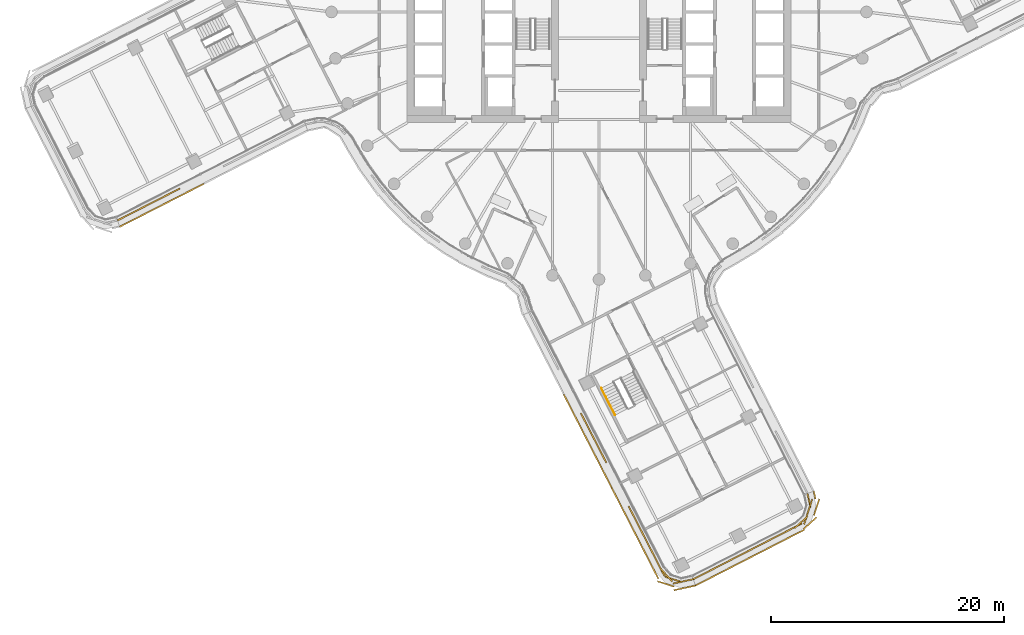
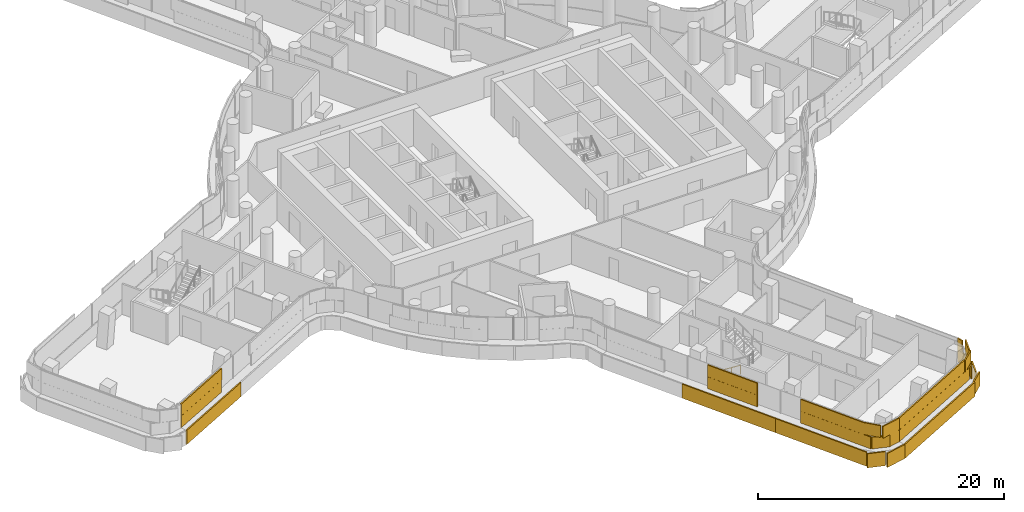
# One storey, part 28 of 37: 4 coverings, 1 railing.
"""IFC4 building model written with IfcOpenShell, lengths in metres."""

import ifcopenshell
import ifcopenshell.guid

model = None  # the IFC model being written
_history = None  # IfcOwnerHistory: only IFC2X3 demands one
_inside = {}  # id of a spatial element -> (the spatial element, [elements in it])
_under = {}  # id of a project, library or spatial element -> (it, [spatial elements below it])
_declared = {}  # id of a project -> (the project, [libraries it declares])
_typed = {}  # id of a type object -> (the type object, [elements of that type])
_made_of = {}  # id of a material, layer set ... -> (it, [elements and type objects made of it])


def new_model(schema):
    """Start an empty IFC model of exactly this schema.

    Asked for "IFC4X3", IfcOpenShell would pick the latest addendum, in which some entities
    have other attributes; the version numbers below select the first issue.
    IFC2X3 requires an IfcOwnerHistory on every rooted entity: one is made here for all.
    """
    global model, _history
    if schema == "IFC4X3":
        model = ifcopenshell.file(schema_version=(4, 3, 0, 0))
    else:
        model = ifcopenshell.file(schema=schema)
    _inside.clear()
    _under.clear()
    _declared.clear()
    _typed.clear()
    _made_of.clear()
    _history = None
    if model.schema == "IFC2X3":
        org = make("IfcOrganization", Name="unknown")
        user = make(
            "IfcPersonAndOrganization",
            ThePerson=make("IfcPerson", FamilyName="unknown"),
            TheOrganization=org,
        )
        app = make(
            "IfcApplication",
            ApplicationDeveloper=org,
            Version="unknown",
            ApplicationFullName="unknown",
            ApplicationIdentifier="unknown",
        )
        _history = make(
            "IfcOwnerHistory",
            OwningUser=user,
            OwningApplication=app,
            ChangeAction="ADDED",
            CreationDate=0,
        )
    return model


def make(cls, **values):
    """One entity of the class cls with the attributes given. An attribute that is None is left unset."""
    return model.create_entity(
        cls, **{name: value for name, value in values.items() if value is not None}
    )


def rooted(cls, **values):
    """An entity with a GlobalId (a new one), such as an element, a storey or a relation."""
    return make(cls, GlobalId=ifcopenshell.guid.new(), OwnerHistory=_history, **values)


def si_unit(unit_type, name, prefix=None):
    """IfcSIUnit, for example si_unit("LENGTHUNIT", "METRE", prefix="MILLI")."""
    return make("IfcSIUnit", UnitType=unit_type, Prefix=prefix, Name=name)


def assignment(units):
    """IfcUnitAssignment: the units of a project."""
    return None if units is None else make("IfcUnitAssignment", Units=units)


def point(xyz):
    """IfcCartesianPoint."""
    return None if xyz is None else make("IfcCartesianPoint", Coordinates=xyz)


def direction(xyz):
    """IfcDirection."""
    return None if xyz is None else make("IfcDirection", DirectionRatios=xyz)


def frame(location, z_axis=None, x_axis=None):
    """IfcAxis2Placement3D, a coordinate frame: its origin and axes. An axis left out is left unset."""
    return make(
        "IfcAxis2Placement3D",
        Location=point(location),
        Axis=direction(z_axis),
        RefDirection=direction(x_axis),
    )


def frame_2d(location, x_axis=None):
    """IfcAxis2Placement2D, a coordinate frame in the plane: its origin and x axis."""
    return make(
        "IfcAxis2Placement2D", Location=point(location), RefDirection=direction(x_axis)
    )


def origin():
    """The frame at (0, 0, 0) with its axes left unset."""
    return frame((0.0, 0.0, 0.0))


def origin_2d():
    """The frame at (0, 0) in the plane with its x axis left unset."""
    return frame_2d((0.0, 0.0))


def place(relative_to, where):
    """IfcLocalPlacement: puts the frame where relative to a parent placement (None: the world)."""
    return make(
        "IfcLocalPlacement", PlacementRelTo=relative_to, RelativePlacement=where
    )


def context(
    kind, dimensions, precision=None, world=None, true_north=None, identifier=None
):
    """IfcGeometricRepresentationContext, for example the 3D "Model" context."""
    return make(
        "IfcGeometricRepresentationContext",
        ContextIdentifier=identifier,
        ContextType=kind,
        CoordinateSpaceDimension=dimensions,
        Precision=precision,
        WorldCoordinateSystem=world,
        TrueNorth=true_north,
    )


def subcontext(parent, identifier, kind, view, scale=None):
    """IfcGeometricRepresentationSubContext, for example "Body" below "Model"."""
    return make(
        "IfcGeometricRepresentationSubContext",
        ContextIdentifier=identifier,
        ContextType=kind,
        ParentContext=parent,
        TargetScale=scale,
        TargetView=view,
    )


def project(units=None, contexts=None):
    """IfcProject with its units and contexts."""
    return rooted(
        "IfcProject",
        Name="project",
        RepresentationContexts=contexts,
        UnitsInContext=assignment(units),
    )


def spatial(cls, under=None, at=None, **own):
    """A site, building, storey or space (cls), placed at a placement, below another one or the project."""
    s = rooted(cls, ObjectPlacement=at, **own)
    if under is not None:
        _under.setdefault(under.id(), (under, []))[1].append(s)
    return s


def profile(cls, at=None, kind="AREA", **sizes):
    """A parametric profile (cls). Its sizes go by their IFC names, for example OverallWidth=200.0."""
    return make(cls, ProfileType=kind, Position=at, **sizes)


def rectangle(**sizes):
    """IfcRectangleProfileDef."""
    return profile("IfcRectangleProfileDef", **sizes)


def circle(**sizes):
    """IfcCircleProfileDef."""
    return profile("IfcCircleProfileDef", **sizes)


def extrude(swept, where, along, depth):
    """IfcExtrudedAreaSolid: the profile swept, set in the frame where, extruded along a direction by depth."""
    return make(
        "IfcExtrudedAreaSolid",
        SweptArea=swept,
        Position=where,
        ExtrudedDirection=direction(along),
        Depth=depth,
    )


def shape(context_of_items, identifier, shape_type, items):
    """IfcShapeRepresentation: the items that make up one representation, for example the "Body"."""
    return make(
        "IfcShapeRepresentation",
        ContextOfItems=context_of_items,
        RepresentationIdentifier=identifier,
        RepresentationType=shape_type,
        Items=items,
    )


def material(Name=None, Category=None):
    """IfcMaterial."""
    return make("IfcMaterial", Name=Name, Category=Category)


def layer(
    of_material, thickness, ventilated=None, Name=None, Category=None, Priority=None
):
    """IfcMaterialLayer: one layer of a wall or slab, of a material (None: an air gap)."""
    return make(
        "IfcMaterialLayer",
        Material=of_material,
        LayerThickness=thickness,
        IsVentilated=ventilated,
        Name=Name,
        Category=Category,
        Priority=Priority,
    )


def layer_set(layers, Name=None):
    """IfcMaterialLayerSet."""
    return make("IfcMaterialLayerSet", MaterialLayers=layers, LayerSetName=Name)


def made_of(thing, what):
    """Note that an element or type object is made of a material, layer set ...; save() writes the relation."""
    if what is not None:
        _made_of.setdefault(what.id(), (what, []))[1].append(thing)
    return thing


def type_object(cls, material=None, **own):
    """A type object (cls), such as IfcWallType, which elements share."""
    return made_of(rooted(cls, **own), material)


def element(
    cls,
    number,
    at=None,
    inside=None,
    cuts=None,
    type_object=None,
    material=None,
    context=None,
    identifier="Body",
    shape_type=None,
    held_by="IfcProductDefinitionShape",
    body=None,
    shapes=None,
    **own,
):
    """One element of the class cls, such as IfcWall. Its Tag is "e" and its number.

    at: its placement. inside: the storey or other place that contains it. cuts: it is an
    opening in that element (IfcRelVoidsElement). A single representation is given by context,
    identifier, shape_type and body (its items); several are given by shapes. held_by: the class
    of the entity that holds the representations. save() writes the other relations.
    """
    e = rooted(cls, Tag="e%d" % number, ObjectPlacement=at, **own)
    if body is not None:
        shapes = [shape(context, identifier, shape_type, body)]
    if shapes is not None:
        e.Representation = make(held_by, Representations=shapes)
    if inside is not None:
        _inside.setdefault(inside.id(), (inside, []))[1].append(e)
    if cuts is not None:
        rooted(
            "IfcRelVoidsElement", RelatingBuildingElement=cuts, RelatedOpeningElement=e
        )
    if type_object is not None:
        _typed.setdefault(type_object.id(), (type_object, []))[1].append(e)
    return made_of(e, material)


def aggregate(whole, parts):
    """IfcRelAggregates: a whole, such as a stair, and the parts it consists of."""
    return rooted("IfcRelAggregates", RelatingObject=whole, RelatedObjects=parts)


def save(model, path):
    """Write the relations noted so far, then the file.

    IfcRelAggregates (storeys below a building ...), IfcRelContainedInSpatialStructure (elements
    in a storey), IfcRelDefinesByType, IfcRelAssociatesMaterial and IfcRelDeclares: one each for
    every whole, place, type object, material and project.
    """
    for whole, parts in _under.values():
        aggregate(whole, parts)
    for where, things in _inside.values():
        rooted(
            "IfcRelContainedInSpatialStructure",
            RelatedElements=things,
            RelatingStructure=where,
        )
    for kind, things in _typed.values():
        rooted("IfcRelDefinesByType", RelatedObjects=things, RelatingType=kind)
    for what, things in _made_of.values():
        rooted("IfcRelAssociatesMaterial", RelatedObjects=things, RelatingMaterial=what)
    for by, libraries in _declared.values():
        rooted("IfcRelDeclares", RelatingContext=by, RelatedDefinitions=libraries)
    model.write(path)


model = new_model("IFC4")

# Units and contexts
model_context = context("Model", 3, precision=1e-05, world=origin(), true_north=direction((0.0, 1.0)))
body_context = subcontext(model_context, "Body", "Model", "MODEL_VIEW")
ifc_project = project(units=[si_unit("LENGTHUNIT", "METRE"), si_unit("AREAUNIT", "SQUARE_METRE"), si_unit("VOLUMEUNIT", "CUBIC_METRE"), si_unit("PLANEANGLEUNIT", "RADIAN"), si_unit("MASSUNIT", "GRAM", prefix="KILO")], contexts=[model_context])

# Site, building, storey
site_placement = place(None, origin())
site = spatial("IfcSite", under=ifc_project, at=site_placement, CompositionType="ELEMENT")
building_placement = place(site_placement, origin())
building = spatial("IfcBuilding", under=site, at=building_placement, Name="Tamarind Cross Interchange Tower", CompositionType="ELEMENT")
storey_placement = place(building_placement, frame((0.0, 0.0, 133.0)))
storey = spatial("IfcBuildingStorey", under=building, at=storey_placement, Name="L32", CompositionType="ELEMENT", Elevation=133.0)

# Railing
ifc_material_1 = material(Name="Stair handrail")
railing_type = type_object("IfcRailingType", Name="Stair handrail", PredefinedType="HANDRAIL", material=ifc_material_1)
railing_placement = place(storey_placement, frame((0.19775390625, -32.3515625, 0.17041015625)))
element("IfcRailing", 1, at=railing_placement, inside=storey, type_object=railing_type, Name="L32 ST6 stair handrail 1", PredefinedType="HANDRAIL", context=body_context, shape_type="SweptSolid", body=[
    extrude(circle(Radius=0.02392578125, at=origin_2d()), frame((0.0, 0.0, 0.8759765625), z_axis=(0.381802773427, -0.744052093423, 0.548281975333), x_axis=(0.889702075766, 0.456541582309, 0.0)), (0.0, 0.0, 1.0), 3.10888671875),
    extrude(circle(Radius=0.02099609375, at=origin_2d()), origin(), (0.0, 0.0, 1.0), 0.851806640625),
    extrude(circle(Radius=0.02099609375, at=origin_2d()), frame((0.395751953125, -0.77099609375, 0.568115234375)), (0.0, 0.0, 1.0), 0.851806640625),
    extrude(circle(Radius=0.02099609375, at=origin_2d()), frame((0.791259765625, -1.542236328125, 1.136474609375)), (0.0, 0.0, 1.0), 0.851806640625),
    extrude(circle(Radius=0.02099609375, at=origin_2d()), frame((1.18701171875, -2.313232421875, 1.70458984375)), (0.0, 0.0, 1.0), 0.851806640625),
])

# Coverings
ifc_material_2 = material(Name="Terracotta", Category="masonry")
ifc_layer = layer(ifc_material_2, 0.1201171875)
ifc_layer_set = layer_set([ifc_layer], Name="Terracotta")
covering_type = type_object("IfcCoveringType", Name="Terracotta baguette screen unit", PredefinedType="MOLDING", material=ifc_layer_set)
covering_1_placement = place(storey_placement, origin())
element("IfcCovering", 2, at=covering_1_placement, inside=storey, type_object=covering_type, Name="SCR-L32-01-00", PredefinedType="MOLDING", context=body_context, shape_type="SweptSolid", body=[
    extrude(rectangle(XDim=1.510009765625, YDim=0.1201171875, at=origin_2d()), frame((-40.732421875, -17.583251953125, 1.404052734375), z_axis=(0.0, 0.0, 1.0), x_axis=(0.890569845562, 0.454846512766, 0.0)), (0.0, 0.0, 1.0), 1.1669921875),
    extrude(rectangle(XDim=1.52001953125, YDim=0.1201171875, at=origin_2d()), frame((-39.396728515625, -16.90087890625, 1.404052734375), z_axis=(0.0, 0.0, 1.0), x_axis=(0.890569845562, 0.454846512766, 0.0)), (0.0, 0.0, 1.0), 1.1669921875),
    extrude(rectangle(XDim=1.52001953125, YDim=0.1201171875, at=origin_2d()), frame((-38.060791015625, -16.21875, 1.404052734375), z_axis=(0.0, 0.0, 1.0), x_axis=(0.890569845562, 0.454846512766, 0.0)), (0.0, 0.0, 1.0), 1.1669921875),
    extrude(rectangle(XDim=1.52001953125, YDim=0.1201171875, at=origin_2d()), frame((-36.724853515625, -15.536376953125, 1.404052734375), z_axis=(0.0, 0.0, 1.0), x_axis=(0.890569845562, 0.454846512766, 0.0)), (0.0, 0.0, 1.0), 1.1669921875),
    extrude(rectangle(XDim=0.760009765625, YDim=0.1201171875, at=origin_2d()), frame((-41.06640625, -17.75390625, 2.5791015625), z_axis=(0.0, 0.0, 1.0), x_axis=(0.890569845562, 0.454846512766, 0.0)), (0.0, 0.0, 1.0), 1.1669921875),
    extrude(rectangle(XDim=1.52001953125, YDim=0.1201171875, at=origin_2d()), frame((-40.064453125, -17.2421875, 2.5791015625), z_axis=(0.0, 0.0, 1.0), x_axis=(0.890569845562, 0.454846512766, 0.0)), (0.0, 0.0, 1.0), 1.1669921875),
    extrude(rectangle(XDim=1.52001953125, YDim=0.1201171875, at=origin_2d()), frame((-38.728759765625, -16.559814453125, 2.5791015625), z_axis=(0.0, 0.0, 1.0), x_axis=(0.890569845562, 0.454846512766, 0.0)), (0.0, 0.0, 1.0), 1.1669921875),
    extrude(rectangle(XDim=1.52001953125, YDim=0.1201171875, at=origin_2d()), frame((-37.392822265625, -15.877685546875, 2.5791015625), z_axis=(0.0, 0.0, 1.0), x_axis=(0.890569845562, 0.454846512766, 0.0)), (0.0, 0.0, 1.0), 1.1669921875),
    extrude(rectangle(XDim=0.7919921875, YDim=0.1201171875, at=origin_2d()), frame((-36.376708984375, -15.358642578125, 2.5791015625), z_axis=(0.0, 0.0, 1.0), x_axis=(0.890569845562, 0.454846512766, 0.0)), (0.0, 0.0, 1.0), 1.1669921875),
    extrude(rectangle(XDim=1.510009765625, YDim=0.1201171875, at=origin_2d()), frame((-40.53369140625, -18.126220703125, 0.00390625), z_axis=(0.0, 0.0, 1.0), x_axis=(0.890569845562, 0.454846512766, 0.0)), (0.0, 0.0, 1.0), 1.39208984375),
    extrude(rectangle(XDim=1.52001953125, YDim=0.1201171875, at=origin_2d()), frame((-39.202392578125, -17.4462890625, 0.00390625), z_axis=(0.0, 0.0, 1.0), x_axis=(0.890569845562, 0.454846512766, 0.0)), (0.0, 0.0, 1.0), 1.39208984375),
    extrude(rectangle(XDim=1.52001953125, YDim=0.1201171875, at=origin_2d()), frame((-37.866455078125, -16.763916015625, 0.00390625), z_axis=(0.0, 0.0, 1.0), x_axis=(0.890569845562, 0.454846512766, 0.0)), (0.0, 0.0, 1.0), 1.39208984375),
    extrude(rectangle(XDim=1.52001953125, YDim=0.1201171875, at=origin_2d()), frame((-36.53076171875, -16.081787109375, 0.00390625), z_axis=(0.0, 0.0, 1.0), x_axis=(0.890569845562, 0.454846512766, 0.0)), (0.0, 0.0, 1.0), 1.39208984375),
    extrude(rectangle(XDim=1.52001953125, YDim=0.1201171875, at=origin_2d()), frame((-35.19482421875, -15.3994140625, 0.00390625), z_axis=(0.0, 0.0, 1.0), x_axis=(0.890569845562, 0.454846512766, 0.0)), (0.0, 0.0, 1.0), 1.39208984375),
    extrude(rectangle(XDim=0.6416015625, YDim=0.1201171875, at=origin_2d()), frame((-34.25, -14.9169921875, 0.00390625), z_axis=(0.0, 0.0, 1.0), x_axis=(0.890569845562, 0.454846512766, 0.0)), (0.0, 0.0, 1.0), 1.39208984375),
])
covering_2_placement = place(storey_placement, origin())
element("IfcCovering", 3, at=covering_2_placement, inside=storey, type_object=covering_type, Name="SCR-L32-03-01", PredefinedType="MOLDING", context=body_context, shape_type="SweptSolid", body=[
    extrude(rectangle(XDim=0.762939453125, YDim=0.1201171875, at=origin_2d()), frame((-1.38818359375, -34.82421875, 1.404052734375), z_axis=(0.0, 0.0, 1.0), x_axis=(0.456551422638, -0.889697026233, 0.0)), (0.0, 0.0, 1.0), 1.1669921875),
    extrude(rectangle(XDim=1.52001953125, YDim=0.1201171875, at=origin_2d()), frame((-0.8740234375, -35.826416015625, 1.404052734375), z_axis=(0.0, 0.0, 1.0), x_axis=(0.456551422638, -0.889697026233, 0.0)), (0.0, 0.0, 1.0), 1.1669921875),
    extrude(rectangle(XDim=1.52001953125, YDim=0.1201171875, at=origin_2d()), frame((-0.18896484375, -37.160888671875, 1.404052734375), z_axis=(0.0, 0.0, 1.0), x_axis=(0.456551422638, -0.889697026233, 0.0)), (0.0, 0.0, 1.0), 1.1669921875),
    extrude(rectangle(XDim=1.063720703125, YDim=0.1201171875, at=origin_2d()), frame((0.393798828125, -38.296875, 1.404052734375), z_axis=(0.0, 0.0, 1.0), x_axis=(0.456551422638, -0.889697026233, 0.0)), (0.0, 0.0, 1.0), 1.1669921875),
    extrude(rectangle(XDim=1.52001953125, YDim=0.1201171875, at=origin_2d()), frame((-1.21630859375, -35.1591796875, 2.5791015625), z_axis=(0.0, 0.0, 1.0), x_axis=(0.456551422638, -0.889697026233, 0.0)), (0.0, 0.0, 1.0), 1.1669921875),
    extrude(rectangle(XDim=1.52001953125, YDim=0.1201171875, at=origin_2d()), frame((-0.531494140625, -36.49365234375, 2.5791015625), z_axis=(0.0, 0.0, 1.0), x_axis=(0.456551422638, -0.889697026233, 0.0)), (0.0, 0.0, 1.0), 1.1669921875),
    extrude(rectangle(XDim=1.52001953125, YDim=0.1201171875, at=origin_2d()), frame((0.1533203125, -37.828369140625, 2.5791015625), z_axis=(0.0, 0.0, 1.0), x_axis=(0.456551422638, -0.889697026233, 0.0)), (0.0, 0.0, 1.0), 1.1669921875),
    extrude(rectangle(XDim=0.313720703125, YDim=0.1201171875, at=origin_2d()), frame((0.56494140625, -38.630615234375, 2.5791015625), z_axis=(0.0, 0.0, 1.0), x_axis=(0.456551422638, -0.889697026233, 0.0)), (0.0, 0.0, 1.0), 1.1669921875),
    extrude(rectangle(XDim=1.327880859375, YDim=0.1201171875, at=origin_2d()), frame((-2.7275390625, -33.471435546875, 0.00390625), z_axis=(0.0, 0.0, 1.0), x_axis=(0.456551422638, -0.889697026233, 0.0)), (0.0, 0.0, 1.0), 1.39208984375),
    extrude(rectangle(XDim=1.52001953125, YDim=0.1201171875, at=origin_2d()), frame((-2.086669921875, -34.720458984375, 0.00390625), z_axis=(0.0, 0.0, 1.0), x_axis=(0.456551422638, -0.889697026233, 0.0)), (0.0, 0.0, 1.0), 1.39208984375),
    extrude(rectangle(XDim=1.52001953125, YDim=0.1201171875, at=origin_2d()), frame((-1.40185546875, -36.054931640625, 0.00390625), z_axis=(0.0, 0.0, 1.0), x_axis=(0.456551422638, -0.889697026233, 0.0)), (0.0, 0.0, 1.0), 1.39208984375),
    extrude(rectangle(XDim=1.52001953125, YDim=0.1201171875, at=origin_2d()), frame((-0.717041015625, -37.3896484375, 0.00390625), z_axis=(0.0, 0.0, 1.0), x_axis=(0.456551422638, -0.889697026233, 0.0)), (0.0, 0.0, 1.0), 1.39208984375),
    extrude(rectangle(XDim=1.52001953125, YDim=0.1201171875, at=origin_2d()), frame((-0.0322265625, -38.72412109375, 0.00390625), z_axis=(0.0, 0.0, 1.0), x_axis=(0.456551422638, -0.889697026233, 0.0)), (0.0, 0.0, 1.0), 1.39208984375),
    extrude(rectangle(XDim=1.52001953125, YDim=0.1201171875, at=origin_2d()), frame((0.652587890625, -40.05859375, 0.00390625), z_axis=(0.0, 0.0, 1.0), x_axis=(0.456551422638, -0.889697026233, 0.0)), (0.0, 0.0, 1.0), 1.39208984375),
    extrude(rectangle(XDim=0.23974609375, YDim=0.1201171875, at=origin_2d()), frame((1.045166015625, -40.82373046875, 0.00390625), z_axis=(0.0, 0.0, 1.0), x_axis=(0.456551422638, -0.889697026233, 0.0)), (0.0, 0.0, 1.0), 1.39208984375),
])
covering_3_placement = place(storey_placement, origin())
element("IfcCovering", 4, at=covering_3_placement, inside=storey, type_object=covering_type, Name="SCR-L32-03-02", PredefinedType="MOLDING", context=body_context, shape_type="SweptSolid", body=[
    extrude(rectangle(XDim=0.75634765625, YDim=0.1201171875, at=origin_2d()), frame((2.72216796875, -42.83447265625, 1.404052734375), z_axis=(0.0, 0.0, 1.0), x_axis=(0.456551422638, -0.889697026233, 0.0)), (0.0, 0.0, 1.0), 1.1669921875),
    extrude(rectangle(XDim=1.52001953125, YDim=0.1201171875, at=origin_2d()), frame((3.235107421875, -43.833740234375, 1.404052734375), z_axis=(0.0, 0.0, 1.0), x_axis=(0.456551422638, -0.889697026233, 0.0)), (0.0, 0.0, 1.0), 1.1669921875),
    extrude(rectangle(XDim=1.52001953125, YDim=0.1201171875, at=origin_2d()), frame((3.919921875, -45.168212890625, 1.404052734375), z_axis=(0.0, 0.0, 1.0), x_axis=(0.456551422638, -0.889697026233, 0.0)), (0.0, 0.0, 1.0), 1.1669921875),
    extrude(rectangle(XDim=1.52001953125, YDim=0.1201171875, at=origin_2d()), frame((4.604736328125, -46.5029296875, 1.404052734375), z_axis=(0.0, 0.0, 1.0), x_axis=(0.456551422638, -0.889697026233, 0.0)), (0.0, 0.0, 1.0), 1.1669921875),
    extrude(rectangle(XDim=1.52001953125, YDim=0.1201171875, at=origin_2d()), frame((5.28955078125, -47.83740234375, 1.404052734375), z_axis=(0.0, 0.0, 1.0), x_axis=(0.456551422638, -0.889697026233, 0.0)), (0.0, 0.0, 1.0), 1.1669921875),
    extrude(rectangle(XDim=1.52001953125, YDim=0.1201171875, at=origin_2d()), frame((6.396240234375, -48.786865234375, 1.404052734375), z_axis=(0.0, 0.0, 1.0), x_axis=(0.951941407358, -0.306280193543, 0.0)), (0.0, 0.0, 1.0), 1.1669921875),
    extrude(rectangle(XDim=1.02734375, YDim=0.1201171875, at=origin_2d()), frame((7.60888671875, -48.881591796875, 1.404052734375), z_axis=(0.0, 0.0, 1.0), x_axis=(0.977545538458, 0.210724275394, 0.0)), (0.0, 0.0, 1.0), 1.1669921875),
    extrude(rectangle(XDim=1.50634765625, YDim=0.1201171875, at=origin_2d()), frame((2.8935546875, -43.16796875, 2.5791015625), z_axis=(0.0, 0.0, 1.0), x_axis=(0.456551422638, -0.889697026233, 0.0)), (0.0, 0.0, 1.0), 1.1669921875),
    extrude(rectangle(XDim=1.52001953125, YDim=0.1201171875, at=origin_2d()), frame((3.577392578125, -44.5009765625, 2.5791015625), z_axis=(0.0, 0.0, 1.0), x_axis=(0.456551422638, -0.889697026233, 0.0)), (0.0, 0.0, 1.0), 1.1669921875),
    extrude(rectangle(XDim=1.52001953125, YDim=0.1201171875, at=origin_2d()), frame((4.26220703125, -45.83544921875, 2.5791015625), z_axis=(0.0, 0.0, 1.0), x_axis=(0.456551422638, -0.889697026233, 0.0)), (0.0, 0.0, 1.0), 1.1669921875),
    extrude(rectangle(XDim=1.52001953125, YDim=0.1201171875, at=origin_2d()), frame((4.947021484375, -47.170166015625, 2.5791015625), z_axis=(0.0, 0.0, 1.0), x_axis=(0.456551422638, -0.889697026233, 0.0)), (0.0, 0.0, 1.0), 1.1669921875),
    extrude(rectangle(XDim=1.52001953125, YDim=0.1201171875, at=origin_2d()), frame((5.7841796875, -48.3994140625, 2.5791015625), z_axis=(0.0, 0.0, 1.0), x_axis=(0.671265344915, -0.741217131964, 0.0)), (0.0, 0.0, 1.0), 1.1669921875),
    extrude(rectangle(XDim=1.52001953125, YDim=0.1201171875, at=origin_2d()), frame((7.111572265625, -48.98876953125, 2.5791015625), z_axis=(0.0, 0.0, 1.0), x_axis=(0.977545538458, 0.210724275394, 0.0)), (0.0, 0.0, 1.0), 1.1669921875),
    extrude(rectangle(XDim=0.27734375, YDim=0.1201171875, at=origin_2d()), frame((7.975341796875, -48.802490234375, 2.5791015625), z_axis=(0.0, 0.0, 1.0), x_axis=(0.977545538458, 0.210724275394, 0.0)), (0.0, 0.0, 1.0), 1.1669921875),
    extrude(rectangle(XDim=1.2802734375, YDim=0.1201171875, at=origin_2d()), frame((1.392333984375, -41.499755859375, 0.00390625), z_axis=(0.0, 0.0, 1.0), x_axis=(0.456551422638, -0.889697026233, 0.0)), (0.0, 0.0, 1.0), 1.39208984375),
    extrude(rectangle(XDim=1.52001953125, YDim=0.1201171875, at=origin_2d()), frame((2.0224609375, -42.727783203125, 0.00390625), z_axis=(0.0, 0.0, 1.0), x_axis=(0.456551422638, -0.889697026233, 0.0)), (0.0, 0.0, 1.0), 1.39208984375),
    extrude(rectangle(XDim=1.52001953125, YDim=0.1201171875, at=origin_2d()), frame((2.707275390625, -44.062255859375, 0.00390625), z_axis=(0.0, 0.0, 1.0), x_axis=(0.456551422638, -0.889697026233, 0.0)), (0.0, 0.0, 1.0), 1.39208984375),
    extrude(rectangle(XDim=1.52001953125, YDim=0.1201171875, at=origin_2d()), frame((3.39208984375, -45.39697265625, 0.00390625), z_axis=(0.0, 0.0, 1.0), x_axis=(0.456551422638, -0.889697026233, 0.0)), (0.0, 0.0, 1.0), 1.39208984375),
    extrude(rectangle(XDim=1.52001953125, YDim=0.1201171875, at=origin_2d()), frame((4.076904296875, -46.7314453125, 0.00390625), z_axis=(0.0, 0.0, 1.0), x_axis=(0.456551422638, -0.889697026233, 0.0)), (0.0, 0.0, 1.0), 1.39208984375),
    extrude(rectangle(XDim=1.52001953125, YDim=0.1201171875, at=origin_2d()), frame((4.76171875, -48.06591796875, 0.00390625), z_axis=(0.0, 0.0, 1.0), x_axis=(0.456551422638, -0.889697026233, 0.0)), (0.0, 0.0, 1.0), 1.39208984375),
    extrude(rectangle(XDim=1.52001953125, YDim=0.1201171875, at=origin_2d()), frame((5.748046875, -49.18115234375, 0.00390625), z_axis=(0.0, 0.0, 1.0), x_axis=(0.951941407358, -0.306280193543, 0.0)), (0.0, 0.0, 1.0), 1.39208984375),
    extrude(rectangle(XDim=1.52001953125, YDim=0.1201171875, at=origin_2d()), frame((7.1796875, -49.561279296875, 0.00390625), z_axis=(0.0, 0.0, 1.0), x_axis=(0.977545538458, 0.210724275394, 0.0)), (0.0, 0.0, 1.0), 1.39208984375),
    extrude(rectangle(XDim=0.406982421875, YDim=0.1201171875, at=origin_2d()), frame((8.10205078125, -49.362548828125, 0.00390625), z_axis=(0.0, 0.0, 1.0), x_axis=(0.977545538458, 0.210724275394, 0.0)), (0.0, 0.0, 1.0), 1.39208984375),
])
covering_4_placement = place(storey_placement, origin())
element("IfcCovering", 5, at=covering_4_placement, inside=storey, type_object=covering_type, Name="SCR-L32-04-00", PredefinedType="MOLDING", context=body_context, shape_type="SweptSolid", body=[
    extrude(rectangle(XDim=1.510009765625, YDim=0.1201171875, at=origin_2d()), frame((8.7734375, -48.431884765625, 1.404052734375), z_axis=(0.0, 0.0, 1.0), x_axis=(0.889697026233, 0.456551422638, 0.0)), (0.0, 0.0, 1.0), 1.1669921875),
    extrude(rectangle(XDim=1.52001953125, YDim=0.1201171875, at=origin_2d()), frame((10.10791015625, -47.7470703125, 1.404052734375), z_axis=(0.0, 0.0, 1.0), x_axis=(0.889697026233, 0.456551422638, 0.0)), (0.0, 0.0, 1.0), 1.1669921875),
    extrude(rectangle(XDim=1.52001953125, YDim=0.1201171875, at=origin_2d()), frame((11.442626953125, -47.062255859375, 1.404052734375), z_axis=(0.0, 0.0, 1.0), x_axis=(0.889697026233, 0.456551422638, 0.0)), (0.0, 0.0, 1.0), 1.1669921875),
    extrude(rectangle(XDim=1.52001953125, YDim=0.1201171875, at=origin_2d()), frame((12.777099609375, -46.37744140625, 1.404052734375), z_axis=(0.0, 0.0, 1.0), x_axis=(0.889697026233, 0.456551422638, 0.0)), (0.0, 0.0, 1.0), 1.1669921875),
    extrude(rectangle(XDim=1.52001953125, YDim=0.1201171875, at=origin_2d()), frame((14.111572265625, -45.692626953125, 1.404052734375), z_axis=(0.0, 0.0, 1.0), x_axis=(0.889697026233, 0.456551422638, 0.0)), (0.0, 0.0, 1.0), 1.1669921875),
    extrude(rectangle(XDim=1.52001953125, YDim=0.1201171875, at=origin_2d()), frame((15.446044921875, -45.0078125, 1.404052734375), z_axis=(0.0, 0.0, 1.0), x_axis=(0.889697026233, 0.456551422638, 0.0)), (0.0, 0.0, 1.0), 1.1669921875),
    extrude(rectangle(XDim=1.52001953125, YDim=0.1201171875, at=origin_2d()), frame((16.78076171875, -44.322998046875, 1.404052734375), z_axis=(0.0, 0.0, 1.0), x_axis=(0.889697026233, 0.456551422638, 0.0)), (0.0, 0.0, 1.0), 1.1669921875),
    extrude(rectangle(XDim=1.52001953125, YDim=0.1201171875, at=origin_2d()), frame((17.86572265625, -43.331298828125, 1.404052734375), z_axis=(0.0, 0.0, 1.0), x_axis=(0.306280193543, 0.951941407358, 0.0)), (0.0, 0.0, 1.0), 1.1669921875),
    extrude(rectangle(XDim=1.259521484375, YDim=0.1201171875, at=origin_2d()), frame((18.05615234375, -42.01123046875, 1.404052734375), z_axis=(0.0, 0.0, 1.0), x_axis=(-0.210724275394, 0.977545538458, 0.0)), (0.0, 0.0, 1.0), 1.1669921875),
    extrude(rectangle(XDim=0.760009765625, YDim=0.1201171875, at=origin_2d()), frame((8.439697265625, -48.603271484375, 2.5791015625), z_axis=(0.0, 0.0, 1.0), x_axis=(0.889697026233, 0.456551422638, 0.0)), (0.0, 0.0, 1.0), 1.1669921875),
    extrude(rectangle(XDim=1.52001953125, YDim=0.1201171875, at=origin_2d()), frame((9.440673828125, -48.089599609375, 2.5791015625), z_axis=(0.0, 0.0, 1.0), x_axis=(0.889697026233, 0.456551422638, 0.0)), (0.0, 0.0, 1.0), 1.1669921875),
    extrude(rectangle(XDim=1.52001953125, YDim=0.1201171875, at=origin_2d()), frame((10.775146484375, -47.40478515625, 2.5791015625), z_axis=(0.0, 0.0, 1.0), x_axis=(0.889697026233, 0.456551422638, 0.0)), (0.0, 0.0, 1.0), 1.1669921875),
    extrude(rectangle(XDim=1.52001953125, YDim=0.1201171875, at=origin_2d()), frame((12.10986328125, -46.719970703125, 2.5791015625), z_axis=(0.0, 0.0, 1.0), x_axis=(0.889697026233, 0.456551422638, 0.0)), (0.0, 0.0, 1.0), 1.1669921875),
    extrude(rectangle(XDim=1.52001953125, YDim=0.1201171875, at=origin_2d()), frame((13.4443359375, -46.03515625, 2.5791015625), z_axis=(0.0, 0.0, 1.0), x_axis=(0.889697026233, 0.456551422638, 0.0)), (0.0, 0.0, 1.0), 1.1669921875),
    extrude(rectangle(XDim=1.52001953125, YDim=0.1201171875, at=origin_2d()), frame((14.77880859375, -45.350341796875, 2.5791015625), z_axis=(0.0, 0.0, 1.0), x_axis=(0.889697026233, 0.456551422638, 0.0)), (0.0, 0.0, 1.0), 1.1669921875),
    extrude(rectangle(XDim=1.52001953125, YDim=0.1201171875, at=origin_2d()), frame((16.113525390625, -44.66552734375, 2.5791015625), z_axis=(0.0, 0.0, 1.0), x_axis=(0.889697026233, 0.456551422638, 0.0)), (0.0, 0.0, 1.0), 1.1669921875),
    extrude(rectangle(XDim=1.52001953125, YDim=0.1201171875, at=origin_2d()), frame((17.377197265625, -43.87841796875, 2.5791015625), z_axis=(0.0, 0.0, 1.0), x_axis=(0.741217131964, 0.671265344915, 0.0)), (0.0, 0.0, 1.0), 1.1669921875),
    extrude(rectangle(XDim=1.52001953125, YDim=0.1201171875, at=origin_2d()), frame((18.095458984375, -42.617431640625, 2.5791015625), z_axis=(0.0, 0.0, 1.0), x_axis=(0.306280193543, 0.951941407358, 0.0)), (0.0, 0.0, 1.0), 1.1669921875),
    extrude(rectangle(XDim=0.509521484375, YDim=0.1201171875, at=origin_2d()), frame((17.97705078125, -41.64453125, 2.5791015625), z_axis=(0.0, 0.0, 1.0), x_axis=(-0.210724275394, 0.977545538458, 0.0)), (0.0, 0.0, 1.0), 1.1669921875),
    extrude(rectangle(XDim=1.510009765625, YDim=0.1201171875, at=origin_2d()), frame((8.97265625, -48.974853515625, 0.00390625), z_axis=(0.0, 0.0, 1.0), x_axis=(0.889697026233, 0.456551422638, 0.0)), (0.0, 0.0, 1.0), 1.39208984375),
    extrude(rectangle(XDim=1.52001953125, YDim=0.1201171875, at=origin_2d()), frame((10.302734375, -48.292236328125, 0.00390625), z_axis=(0.0, 0.0, 1.0), x_axis=(0.889697026233, 0.456551422638, 0.0)), (0.0, 0.0, 1.0), 1.39208984375),
    extrude(rectangle(XDim=1.52001953125, YDim=0.1201171875, at=origin_2d()), frame((11.637451171875, -47.607421875, 0.00390625), z_axis=(0.0, 0.0, 1.0), x_axis=(0.889697026233, 0.456551422638, 0.0)), (0.0, 0.0, 1.0), 1.39208984375),
    extrude(rectangle(XDim=1.52001953125, YDim=0.1201171875, at=origin_2d()), frame((12.971923828125, -46.922607421875, 0.00390625), z_axis=(0.0, 0.0, 1.0), x_axis=(0.889697026233, 0.456551422638, 0.0)), (0.0, 0.0, 1.0), 1.39208984375),
    extrude(rectangle(XDim=1.52001953125, YDim=0.1201171875, at=origin_2d()), frame((14.306396484375, -46.23779296875, 0.00390625), z_axis=(0.0, 0.0, 1.0), x_axis=(0.889697026233, 0.456551422638, 0.0)), (0.0, 0.0, 1.0), 1.39208984375),
    extrude(rectangle(XDim=1.52001953125, YDim=0.1201171875, at=origin_2d()), frame((15.640869140625, -45.552978515625, 0.00390625), z_axis=(0.0, 0.0, 1.0), x_axis=(0.889697026233, 0.456551422638, 0.0)), (0.0, 0.0, 1.0), 1.39208984375),
    extrude(rectangle(XDim=1.52001953125, YDim=0.1201171875, at=origin_2d()), frame((16.9755859375, -44.8681640625, 0.00390625), z_axis=(0.0, 0.0, 1.0), x_axis=(0.889697026233, 0.456551422638, 0.0)), (0.0, 0.0, 1.0), 1.39208984375),
    extrude(rectangle(XDim=1.52001953125, YDim=0.1201171875, at=origin_2d()), frame((18.150390625, -43.952392578125, 0.00390625), z_axis=(0.0, 0.0, 1.0), x_axis=(0.741217131964, 0.671265344915, 0.0)), (0.0, 0.0, 1.0), 1.39208984375),
    extrude(rectangle(XDim=1.52001953125, YDim=0.1201171875, at=origin_2d()), frame((18.7080078125, -42.587890625, 0.00390625), z_axis=(0.0, 0.0, 1.0), x_axis=(0.306280193543, 0.951941407358, 0.0)), (0.0, 0.0, 1.0), 1.39208984375),
    extrude(rectangle(XDim=0.676513671875, YDim=0.1201171875, at=origin_2d()), frame((18.541015625, -41.536865234375, 0.00390625), z_axis=(0.0, 0.0, 1.0), x_axis=(-0.210724275394, 0.977545538458, 0.0)), (0.0, 0.0, 1.0), 1.39208984375),
])

save(model, "model.ifc")
